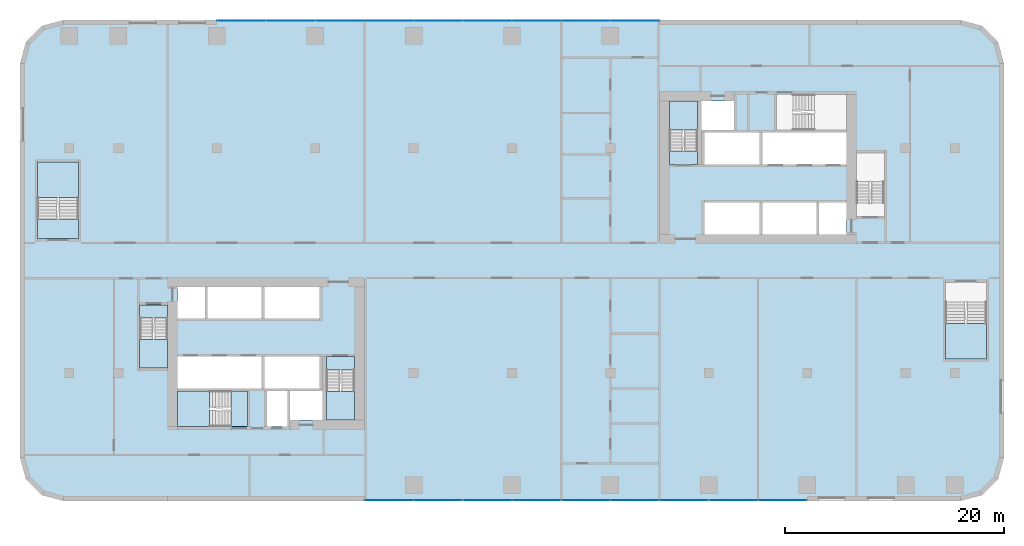
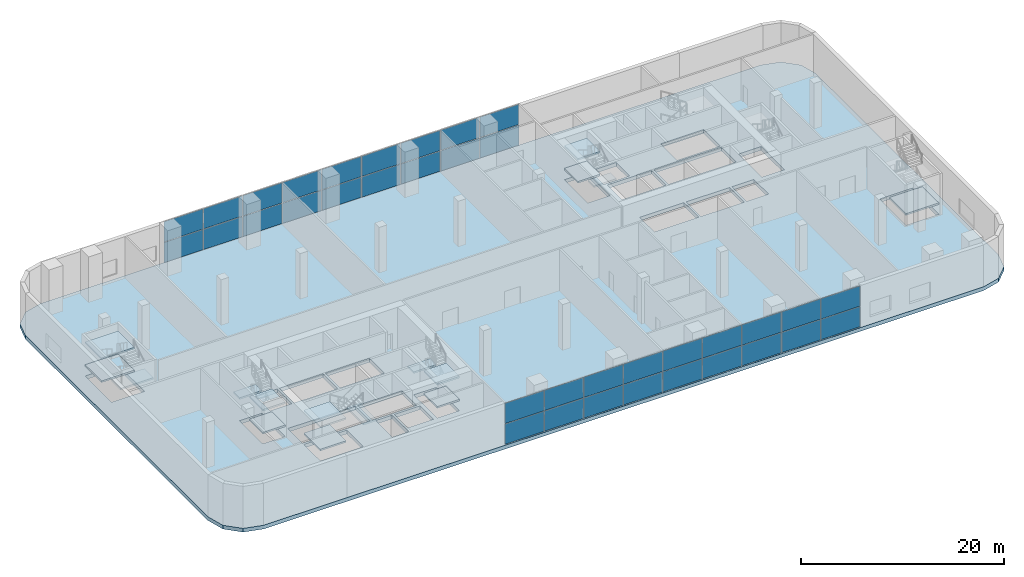
# One storey, part 7 of 21: 36 plates, 17 slabs, 14 elements without a shape of their own.
"""IFC4 building model written with IfcOpenShell, lengths in metres."""

from ifc_helpers import new_model, si_unit, direction, frame, origin, origin_2d, place, context, subcontext, project, spatial, polyline, rectangle, outline, extrude, material, layer, layer_set, type_object, element, aggregate, save


model = new_model("IFC4")

# Units and contexts
model_context = context("Model", 3, precision=1e-05, world=origin(), true_north=direction((0.0, 1.0)))
body_context = subcontext(model_context, "Body", "Model", "MODEL_VIEW")
ifc_project = project(units=[si_unit("LENGTHUNIT", "METRE"), si_unit("AREAUNIT", "SQUARE_METRE"), si_unit("VOLUMEUNIT", "CUBIC_METRE"), si_unit("PLANEANGLEUNIT", "RADIAN"), si_unit("MASSUNIT", "GRAM", prefix="KILO")], contexts=[model_context])

# Site, building, storey
site_placement = place(None, origin())
site = spatial("IfcSite", under=ifc_project, at=site_placement, CompositionType="ELEMENT")
building_placement = place(site_placement, origin())
building = spatial("IfcBuilding", under=site, at=building_placement, Name="Kajstack Hotel Tower", CompositionType="ELEMENT")
storey_placement = place(building_placement, frame((0.0, 0.0, 23.5)))
storey = spatial("IfcBuildingStorey", under=building, at=storey_placement, Name="L03", CompositionType="ELEMENT", Elevation=23.5)

# Curtain wall, plates
ifc_material_1 = material(Name="Aluminium-framed curtain wall, fritted glass", Category="aluminium")
curtain_wall_type = type_object("IfcCurtainWallType", Name="CW-MEET", PredefinedType="NOTDEFINED", material=ifc_material_1)
curtain_wall_1_placement = place(storey_placement, origin())
curtain_wall_1 = element("IfcCurtainWall", 1, at=curtain_wall_1_placement, inside=storey, type_object=curtain_wall_type, Name="Curtain wall CU3 L03-03-02-0", PredefinedType="NOTDEFINED")
ifc_material_2 = material(Name="Fritted glass", Category="glass")
ifc_layer_1 = layer(ifc_material_2, 0.028076171875)
ifc_layer_set_1 = layer_set([ifc_layer_1], Name="CW-P-MEET")
plate_type = type_object("IfcPlateType", Name="CW-P-MEET", PredefinedType="CURTAIN_PANEL", material=ifc_layer_set_1)
plate_1_placement = place(storey_placement, frame((-11.237548828125, -21.925048828125, 0.06005859375), z_axis=(0.0, 0.0, 1.0), x_axis=(1.0, 0.0, 0.0)))
plate_1 = element("IfcPlate", 2, at=plate_1_placement, type_object=plate_type, Name="CU3 panel 1.1", PredefinedType="CURTAIN_PANEL", context=body_context, shape_type="SweptSolid", body=[
    extrude(rectangle(XDim=4.425048828125, YDim=0.028076171875, at=origin_2d()), origin(), (0.0, 0.0, 1.0), 2.43505859375),
])
plate_2_placement = place(storey_placement, frame((-11.237548828125, -21.925048828125, 2.554931640625), z_axis=(0.0, 0.0, 1.0), x_axis=(1.0, 0.0, 0.0)))
plate_2 = element("IfcPlate", 3, at=plate_2_placement, type_object=plate_type, Name="CU3 panel 1.2", PredefinedType="CURTAIN_PANEL", context=body_context, shape_type="SweptSolid", body=[
    extrude(rectangle(XDim=4.425048828125, YDim=0.028076171875, at=origin_2d()), origin(), (0.0, 0.0, 1.0), 2.43505859375),
])
plate_3_placement = place(storey_placement, frame((-6.762451171875, -21.925048828125, 0.06005859375), z_axis=(0.0, 0.0, 1.0), x_axis=(1.0, 0.0, 0.0)))
plate_3 = element("IfcPlate", 4, at=plate_3_placement, type_object=plate_type, Name="CU3 panel 2.1", PredefinedType="CURTAIN_PANEL", context=body_context, shape_type="SweptSolid", body=[
    extrude(rectangle(XDim=4.425048828125, YDim=0.028076171875, at=origin_2d()), origin(), (0.0, 0.0, 1.0), 2.43505859375),
])
plate_4_placement = place(storey_placement, frame((-6.762451171875, -21.925048828125, 2.554931640625), z_axis=(0.0, 0.0, 1.0), x_axis=(1.0, 0.0, 0.0)))
plate_4 = element("IfcPlate", 5, at=plate_4_placement, type_object=plate_type, Name="CU3 panel 2.2", PredefinedType="CURTAIN_PANEL", context=body_context, shape_type="SweptSolid", body=[
    extrude(rectangle(XDim=4.425048828125, YDim=0.028076171875, at=origin_2d()), origin(), (0.0, 0.0, 1.0), 2.43505859375),
])
aggregate(curtain_wall_1, [plate_1, plate_2, plate_3, plate_4])

curtain_wall_2_placement = place(storey_placement, origin())
curtain_wall_2 = element("IfcCurtainWall", 6, at=curtain_wall_2_placement, inside=storey, type_object=curtain_wall_type, Name="Curtain wall CU3 L03-03-02-1", PredefinedType="NOTDEFINED")
plate_5_placement = place(storey_placement, frame((-2.237548828125, -21.925048828125, 0.06005859375), z_axis=(0.0, 0.0, 1.0), x_axis=(1.0, 0.0, 0.0)))
plate_5 = element("IfcPlate", 7, at=plate_5_placement, type_object=plate_type, Name="CU3 panel 1.1", PredefinedType="CURTAIN_PANEL", context=body_context, shape_type="SweptSolid", body=[
    extrude(rectangle(XDim=4.425048828125, YDim=0.028076171875, at=origin_2d()), origin(), (0.0, 0.0, 1.0), 2.43505859375),
])
plate_6_placement = place(storey_placement, frame((-2.237548828125, -21.925048828125, 2.554931640625), z_axis=(0.0, 0.0, 1.0), x_axis=(1.0, 0.0, 0.0)))
plate_6 = element("IfcPlate", 8, at=plate_6_placement, type_object=plate_type, Name="CU3 panel 1.2", PredefinedType="CURTAIN_PANEL", context=body_context, shape_type="SweptSolid", body=[
    extrude(rectangle(XDim=4.425048828125, YDim=0.028076171875, at=origin_2d()), origin(), (0.0, 0.0, 1.0), 2.43505859375),
])
plate_7_placement = place(storey_placement, frame((2.237548828125, -21.925048828125, 0.06005859375), z_axis=(0.0, 0.0, 1.0), x_axis=(1.0, 0.0, 0.0)))
plate_7 = element("IfcPlate", 9, at=plate_7_placement, type_object=plate_type, Name="CU3 panel 2.1", PredefinedType="CURTAIN_PANEL", context=body_context, shape_type="SweptSolid", body=[
    extrude(rectangle(XDim=4.425048828125, YDim=0.028076171875, at=origin_2d()), origin(), (0.0, 0.0, 1.0), 2.43505859375),
])
plate_8_placement = place(storey_placement, frame((2.237548828125, -21.925048828125, 2.554931640625), z_axis=(0.0, 0.0, 1.0), x_axis=(1.0, 0.0, 0.0)))
plate_8 = element("IfcPlate", 10, at=plate_8_placement, type_object=plate_type, Name="CU3 panel 2.2", PredefinedType="CURTAIN_PANEL", context=body_context, shape_type="SweptSolid", body=[
    extrude(rectangle(XDim=4.425048828125, YDim=0.028076171875, at=origin_2d()), origin(), (0.0, 0.0, 1.0), 2.43505859375),
])
aggregate(curtain_wall_2, [plate_5, plate_6, plate_7, plate_8])

curtain_wall_3_placement = place(storey_placement, origin())
curtain_wall_3 = element("IfcCurtainWall", 11, at=curtain_wall_3_placement, inside=storey, type_object=curtain_wall_type, Name="Curtain wall CU3 L03-03-02-2", PredefinedType="NOTDEFINED")
plate_9_placement = place(storey_placement, frame((6.762451171875, -21.925048828125, 0.06005859375), z_axis=(0.0, 0.0, 1.0), x_axis=(1.0, 0.0, 0.0)))
plate_9 = element("IfcPlate", 12, at=plate_9_placement, type_object=plate_type, Name="CU3 panel 1.1", PredefinedType="CURTAIN_PANEL", context=body_context, shape_type="SweptSolid", body=[
    extrude(rectangle(XDim=4.425048828125, YDim=0.028076171875, at=origin_2d()), origin(), (0.0, 0.0, 1.0), 2.43505859375),
])
plate_10_placement = place(storey_placement, frame((6.762451171875, -21.925048828125, 2.554931640625), z_axis=(0.0, 0.0, 1.0), x_axis=(1.0, 0.0, 0.0)))
plate_10 = element("IfcPlate", 13, at=plate_10_placement, type_object=plate_type, Name="CU3 panel 1.2", PredefinedType="CURTAIN_PANEL", context=body_context, shape_type="SweptSolid", body=[
    extrude(rectangle(XDim=4.425048828125, YDim=0.028076171875, at=origin_2d()), origin(), (0.0, 0.0, 1.0), 2.43505859375),
])
plate_11_placement = place(storey_placement, frame((11.25, -21.925048828125, 0.06005859375), z_axis=(0.0, 0.0, 1.0), x_axis=(1.0, 0.0, 0.0)))
plate_11 = element("IfcPlate", 14, at=plate_11_placement, type_object=plate_type, Name="CU3 panel 2.1", PredefinedType="CURTAIN_PANEL", context=body_context, shape_type="SweptSolid", body=[
    extrude(rectangle(XDim=4.449951171875, YDim=0.028076171875, at=origin_2d()), origin(), (0.0, 0.0, 1.0), 2.43505859375),
])
plate_12_placement = place(storey_placement, frame((11.25, -21.925048828125, 2.554931640625), z_axis=(0.0, 0.0, 1.0), x_axis=(1.0, 0.0, 0.0)))
plate_12 = element("IfcPlate", 15, at=plate_12_placement, type_object=plate_type, Name="CU3 panel 2.2", PredefinedType="CURTAIN_PANEL", context=body_context, shape_type="SweptSolid", body=[
    extrude(rectangle(XDim=4.449951171875, YDim=0.028076171875, at=origin_2d()), origin(), (0.0, 0.0, 1.0), 2.43505859375),
])
plate_13_placement = place(storey_placement, frame((15.737548828125, -21.925048828125, 0.06005859375), z_axis=(0.0, 0.0, 1.0), x_axis=(1.0, 0.0, 0.0)))
plate_13 = element("IfcPlate", 16, at=plate_13_placement, type_object=plate_type, Name="CU3 panel 3.1", PredefinedType="CURTAIN_PANEL", context=body_context, shape_type="SweptSolid", body=[
    extrude(rectangle(XDim=4.425048828125, YDim=0.028076171875, at=origin_2d()), origin(), (0.0, 0.0, 1.0), 2.43505859375),
])
plate_14_placement = place(storey_placement, frame((15.737548828125, -21.925048828125, 2.554931640625), z_axis=(0.0, 0.0, 1.0), x_axis=(1.0, 0.0, 0.0)))
plate_14 = element("IfcPlate", 17, at=plate_14_placement, type_object=plate_type, Name="CU3 panel 3.2", PredefinedType="CURTAIN_PANEL", context=body_context, shape_type="SweptSolid", body=[
    extrude(rectangle(XDim=4.425048828125, YDim=0.028076171875, at=origin_2d()), origin(), (0.0, 0.0, 1.0), 2.43505859375),
])
aggregate(curtain_wall_3, [plate_9, plate_10, plate_11, plate_12, plate_13, plate_14])

curtain_wall_4_placement = place(storey_placement, origin())
curtain_wall_4 = element("IfcCurtainWall", 18, at=curtain_wall_4_placement, inside=storey, type_object=curtain_wall_type, Name="Curtain wall CU3 L03-03-02-3", PredefinedType="NOTDEFINED")
plate_15_placement = place(storey_placement, frame((20.262451171875, -21.925048828125, 0.06005859375), z_axis=(0.0, 0.0, 1.0), x_axis=(1.0, 0.0, 0.0)))
plate_15 = element("IfcPlate", 19, at=plate_15_placement, type_object=plate_type, Name="CU3 panel 1.1", PredefinedType="CURTAIN_PANEL", context=body_context, shape_type="SweptSolid", body=[
    extrude(rectangle(XDim=4.425048828125, YDim=0.028076171875, at=origin_2d()), origin(), (0.0, 0.0, 1.0), 2.43505859375),
])
plate_16_placement = place(storey_placement, frame((20.262451171875, -21.925048828125, 2.554931640625), z_axis=(0.0, 0.0, 1.0), x_axis=(1.0, 0.0, 0.0)))
plate_16 = element("IfcPlate", 20, at=plate_16_placement, type_object=plate_type, Name="CU3 panel 1.2", PredefinedType="CURTAIN_PANEL", context=body_context, shape_type="SweptSolid", body=[
    extrude(rectangle(XDim=4.425048828125, YDim=0.028076171875, at=origin_2d()), origin(), (0.0, 0.0, 1.0), 2.43505859375),
])
plate_17_placement = place(storey_placement, frame((24.737548828125, -21.925048828125, 0.06005859375), z_axis=(0.0, 0.0, 1.0), x_axis=(1.0, 0.0, 0.0)))
plate_17 = element("IfcPlate", 21, at=plate_17_placement, type_object=plate_type, Name="CU3 panel 2.1", PredefinedType="CURTAIN_PANEL", context=body_context, shape_type="SweptSolid", body=[
    extrude(rectangle(XDim=4.425048828125, YDim=0.028076171875, at=origin_2d()), origin(), (0.0, 0.0, 1.0), 2.43505859375),
])
plate_18_placement = place(storey_placement, frame((24.737548828125, -21.925048828125, 2.554931640625), z_axis=(0.0, 0.0, 1.0), x_axis=(1.0, 0.0, 0.0)))
plate_18 = element("IfcPlate", 22, at=plate_18_placement, type_object=plate_type, Name="CU3 panel 2.2", PredefinedType="CURTAIN_PANEL", context=body_context, shape_type="SweptSolid", body=[
    extrude(rectangle(XDim=4.425048828125, YDim=0.028076171875, at=origin_2d()), origin(), (0.0, 0.0, 1.0), 2.43505859375),
])
aggregate(curtain_wall_4, [plate_15, plate_16, plate_17, plate_18])

curtain_wall_5_placement = place(storey_placement, origin())
curtain_wall_5 = element("IfcCurtainWall", 23, at=curtain_wall_5_placement, inside=storey, type_object=curtain_wall_type, Name="Curtain wall CU3 L03-11-02-0", PredefinedType="NOTDEFINED")
plate_19_placement = place(storey_placement, frame((11.237548828125, 21.925048828125, 0.06005859375), z_axis=(0.0, 0.0, 1.0), x_axis=(-1.0, 0.0, 0.0)))
plate_19 = element("IfcPlate", 24, at=plate_19_placement, type_object=plate_type, Name="CU3 panel 1.1", PredefinedType="CURTAIN_PANEL", context=body_context, shape_type="SweptSolid", body=[
    extrude(rectangle(XDim=4.425048828125, YDim=0.028076171875, at=origin_2d()), origin(), (0.0, 0.0, 1.0), 2.43505859375),
])
plate_20_placement = place(storey_placement, frame((11.237548828125, 21.925048828125, 2.554931640625), z_axis=(0.0, 0.0, 1.0), x_axis=(-1.0, 0.0, 0.0)))
plate_20 = element("IfcPlate", 25, at=plate_20_placement, type_object=plate_type, Name="CU3 panel 1.2", PredefinedType="CURTAIN_PANEL", context=body_context, shape_type="SweptSolid", body=[
    extrude(rectangle(XDim=4.425048828125, YDim=0.028076171875, at=origin_2d()), origin(), (0.0, 0.0, 1.0), 2.43505859375),
])
plate_21_placement = place(storey_placement, frame((6.762451171875, 21.925048828125, 0.06005859375), z_axis=(0.0, 0.0, 1.0), x_axis=(-1.0, 0.0, 0.0)))
plate_21 = element("IfcPlate", 26, at=plate_21_placement, type_object=plate_type, Name="CU3 panel 2.1", PredefinedType="CURTAIN_PANEL", context=body_context, shape_type="SweptSolid", body=[
    extrude(rectangle(XDim=4.425048828125, YDim=0.028076171875, at=origin_2d()), origin(), (0.0, 0.0, 1.0), 2.43505859375),
])
plate_22_placement = place(storey_placement, frame((6.762451171875, 21.925048828125, 2.554931640625), z_axis=(0.0, 0.0, 1.0), x_axis=(-1.0, 0.0, 0.0)))
plate_22 = element("IfcPlate", 27, at=plate_22_placement, type_object=plate_type, Name="CU3 panel 2.2", PredefinedType="CURTAIN_PANEL", context=body_context, shape_type="SweptSolid", body=[
    extrude(rectangle(XDim=4.425048828125, YDim=0.028076171875, at=origin_2d()), origin(), (0.0, 0.0, 1.0), 2.43505859375),
])
aggregate(curtain_wall_5, [plate_19, plate_20, plate_21, plate_22])

curtain_wall_6_placement = place(storey_placement, origin())
curtain_wall_6 = element("IfcCurtainWall", 28, at=curtain_wall_6_placement, inside=storey, type_object=curtain_wall_type, Name="Curtain wall CU3 L03-11-02-1", PredefinedType="NOTDEFINED")
plate_23_placement = place(storey_placement, frame((2.237548828125, 21.925048828125, 0.06005859375), z_axis=(0.0, 0.0, 1.0), x_axis=(-1.0, 0.0, 0.0)))
plate_23 = element("IfcPlate", 29, at=plate_23_placement, type_object=plate_type, Name="CU3 panel 1.1", PredefinedType="CURTAIN_PANEL", context=body_context, shape_type="SweptSolid", body=[
    extrude(rectangle(XDim=4.425048828125, YDim=0.028076171875, at=origin_2d()), origin(), (0.0, 0.0, 1.0), 2.43505859375),
])
plate_24_placement = place(storey_placement, frame((2.237548828125, 21.925048828125, 2.554931640625), z_axis=(0.0, 0.0, 1.0), x_axis=(-1.0, 0.0, 0.0)))
plate_24 = element("IfcPlate", 30, at=plate_24_placement, type_object=plate_type, Name="CU3 panel 1.2", PredefinedType="CURTAIN_PANEL", context=body_context, shape_type="SweptSolid", body=[
    extrude(rectangle(XDim=4.425048828125, YDim=0.028076171875, at=origin_2d()), origin(), (0.0, 0.0, 1.0), 2.43505859375),
])
plate_25_placement = place(storey_placement, frame((-2.237548828125, 21.925048828125, 0.06005859375), z_axis=(0.0, 0.0, 1.0), x_axis=(-1.0, 0.0, 0.0)))
plate_25 = element("IfcPlate", 31, at=plate_25_placement, type_object=plate_type, Name="CU3 panel 2.1", PredefinedType="CURTAIN_PANEL", context=body_context, shape_type="SweptSolid", body=[
    extrude(rectangle(XDim=4.425048828125, YDim=0.028076171875, at=origin_2d()), origin(), (0.0, 0.0, 1.0), 2.43505859375),
])
plate_26_placement = place(storey_placement, frame((-2.237548828125, 21.925048828125, 2.554931640625), z_axis=(0.0, 0.0, 1.0), x_axis=(-1.0, 0.0, 0.0)))
plate_26 = element("IfcPlate", 32, at=plate_26_placement, type_object=plate_type, Name="CU3 panel 2.2", PredefinedType="CURTAIN_PANEL", context=body_context, shape_type="SweptSolid", body=[
    extrude(rectangle(XDim=4.425048828125, YDim=0.028076171875, at=origin_2d()), origin(), (0.0, 0.0, 1.0), 2.43505859375),
])
aggregate(curtain_wall_6, [plate_23, plate_24, plate_25, plate_26])

curtain_wall_7_placement = place(storey_placement, origin())
curtain_wall_7 = element("IfcCurtainWall", 33, at=curtain_wall_7_placement, inside=storey, type_object=curtain_wall_type, Name="Curtain wall CU3 L03-11-02-2", PredefinedType="NOTDEFINED")
plate_27_placement = place(storey_placement, frame((-6.762451171875, 21.925048828125, 0.06005859375), z_axis=(0.0, 0.0, 1.0), x_axis=(-1.0, 0.0, 0.0)))
plate_27 = element("IfcPlate", 34, at=plate_27_placement, type_object=plate_type, Name="CU3 panel 1.1", PredefinedType="CURTAIN_PANEL", context=body_context, shape_type="SweptSolid", body=[
    extrude(rectangle(XDim=4.425048828125, YDim=0.028076171875, at=origin_2d()), origin(), (0.0, 0.0, 1.0), 2.43505859375),
])
plate_28_placement = place(storey_placement, frame((-6.762451171875, 21.925048828125, 2.554931640625), z_axis=(0.0, 0.0, 1.0), x_axis=(-1.0, 0.0, 0.0)))
plate_28 = element("IfcPlate", 35, at=plate_28_placement, type_object=plate_type, Name="CU3 panel 1.2", PredefinedType="CURTAIN_PANEL", context=body_context, shape_type="SweptSolid", body=[
    extrude(rectangle(XDim=4.425048828125, YDim=0.028076171875, at=origin_2d()), origin(), (0.0, 0.0, 1.0), 2.43505859375),
])
plate_29_placement = place(storey_placement, frame((-11.25, 21.925048828125, 0.06005859375), z_axis=(0.0, 0.0, 1.0), x_axis=(-1.0, 0.0, 0.0)))
plate_29 = element("IfcPlate", 36, at=plate_29_placement, type_object=plate_type, Name="CU3 panel 2.1", PredefinedType="CURTAIN_PANEL", context=body_context, shape_type="SweptSolid", body=[
    extrude(rectangle(XDim=4.449951171875, YDim=0.028076171875, at=origin_2d()), origin(), (0.0, 0.0, 1.0), 2.43505859375),
])
plate_30_placement = place(storey_placement, frame((-11.25, 21.925048828125, 2.554931640625), z_axis=(0.0, 0.0, 1.0), x_axis=(-1.0, 0.0, 0.0)))
plate_30 = element("IfcPlate", 37, at=plate_30_placement, type_object=plate_type, Name="CU3 panel 2.2", PredefinedType="CURTAIN_PANEL", context=body_context, shape_type="SweptSolid", body=[
    extrude(rectangle(XDim=4.449951171875, YDim=0.028076171875, at=origin_2d()), origin(), (0.0, 0.0, 1.0), 2.43505859375),
])
plate_31_placement = place(storey_placement, frame((-15.737548828125, 21.925048828125, 0.06005859375), z_axis=(0.0, 0.0, 1.0), x_axis=(-1.0, 0.0, 0.0)))
plate_31 = element("IfcPlate", 38, at=plate_31_placement, type_object=plate_type, Name="CU3 panel 3.1", PredefinedType="CURTAIN_PANEL", context=body_context, shape_type="SweptSolid", body=[
    extrude(rectangle(XDim=4.425048828125, YDim=0.028076171875, at=origin_2d()), origin(), (0.0, 0.0, 1.0), 2.43505859375),
])
plate_32_placement = place(storey_placement, frame((-15.737548828125, 21.925048828125, 2.554931640625), z_axis=(0.0, 0.0, 1.0), x_axis=(-1.0, 0.0, 0.0)))
plate_32 = element("IfcPlate", 39, at=plate_32_placement, type_object=plate_type, Name="CU3 panel 3.2", PredefinedType="CURTAIN_PANEL", context=body_context, shape_type="SweptSolid", body=[
    extrude(rectangle(XDim=4.425048828125, YDim=0.028076171875, at=origin_2d()), origin(), (0.0, 0.0, 1.0), 2.43505859375),
])
aggregate(curtain_wall_7, [plate_27, plate_28, plate_29, plate_30, plate_31, plate_32])

curtain_wall_8_placement = place(storey_placement, origin())
curtain_wall_8 = element("IfcCurtainWall", 40, at=curtain_wall_8_placement, inside=storey, type_object=curtain_wall_type, Name="Curtain wall CU3 L03-11-02-3", PredefinedType="NOTDEFINED")
plate_33_placement = place(storey_placement, frame((-20.262451171875, 21.925048828125, 0.06005859375), z_axis=(0.0, 0.0, 1.0), x_axis=(-1.0, 0.0, 0.0)))
plate_33 = element("IfcPlate", 41, at=plate_33_placement, type_object=plate_type, Name="CU3 panel 1.1", PredefinedType="CURTAIN_PANEL", context=body_context, shape_type="SweptSolid", body=[
    extrude(rectangle(XDim=4.425048828125, YDim=0.028076171875, at=origin_2d()), origin(), (0.0, 0.0, 1.0), 2.43505859375),
])
plate_34_placement = place(storey_placement, frame((-20.262451171875, 21.925048828125, 2.554931640625), z_axis=(0.0, 0.0, 1.0), x_axis=(-1.0, 0.0, 0.0)))
plate_34 = element("IfcPlate", 42, at=plate_34_placement, type_object=plate_type, Name="CU3 panel 1.2", PredefinedType="CURTAIN_PANEL", context=body_context, shape_type="SweptSolid", body=[
    extrude(rectangle(XDim=4.425048828125, YDim=0.028076171875, at=origin_2d()), origin(), (0.0, 0.0, 1.0), 2.43505859375),
])
plate_35_placement = place(storey_placement, frame((-24.737548828125, 21.925048828125, 0.06005859375), z_axis=(0.0, 0.0, 1.0), x_axis=(-1.0, 0.0, 0.0)))
plate_35 = element("IfcPlate", 43, at=plate_35_placement, type_object=plate_type, Name="CU3 panel 2.1", PredefinedType="CURTAIN_PANEL", context=body_context, shape_type="SweptSolid", body=[
    extrude(rectangle(XDim=4.425048828125, YDim=0.028076171875, at=origin_2d()), origin(), (0.0, 0.0, 1.0), 2.43505859375),
])
plate_36_placement = place(storey_placement, frame((-24.737548828125, 21.925048828125, 2.554931640625), z_axis=(0.0, 0.0, 1.0), x_axis=(-1.0, 0.0, 0.0)))
plate_36 = element("IfcPlate", 44, at=plate_36_placement, type_object=plate_type, Name="CU3 panel 2.2", PredefinedType="CURTAIN_PANEL", context=body_context, shape_type="SweptSolid", body=[
    extrude(rectangle(XDim=4.425048828125, YDim=0.028076171875, at=origin_2d()), origin(), (0.0, 0.0, 1.0), 2.43505859375),
])
aggregate(curtain_wall_8, [plate_33, plate_34, plate_35, plate_36])

# Slab
ifc_material_3 = material(Name="Concrete C45/55", Category="concrete")
ifc_layer_2 = layer(ifc_material_3, 0.449951171875)
ifc_layer_set_2 = layer_set([ifc_layer_2], Name="RC slab 450 C45/55 podium")
slab_type_1 = type_object("IfcSlabType", Name="RC slab 450 C45/55 podium", PredefinedType="FLOOR", material=ifc_layer_set_2)
slab_1_placement = place(storey_placement, frame((0.0, 0.0, -0.449951171875)))
element("IfcSlab", 45, at=slab_1_placement, inside=storey, type_object=slab_type_1, Name="S-slab-L03", PredefinedType="FLOOR", context=body_context, shape_type="SweptSolid", body=[
    extrude(outline(polyline([(-45.0, -18.0), (-44.464111328125, -20.0), (-43.0, -21.464111328125), (-41.0, -22.0), (41.0, -22.0), (43.0, -21.464111328125), (44.464111328125, -20.0), (45.0, -18.0), (45.0, 18.0), (44.464111328125, 20.0), (43.0, 21.464111328125), (41.0, 22.0), (-41.0, 22.0), (-43.0, 21.464111328125), (-44.464111328125, 20.0), (-45.0, 18.0), (-45.0, -18.0)]), holes=[polyline([(-30.60009765625, -11.699951171875), (-30.60009765625, -8.800048828125), (-22.89990234375, -8.800048828125), (-22.89990234375, -11.699951171875), (-30.60009765625, -11.699951171875)]), polyline([(-22.64990234375, -11.699951171875), (-22.64990234375, -8.800048828125), (-17.60009765625, -8.800048828125), (-17.60009765625, -11.699951171875), (-22.64990234375, -11.699951171875)]), polyline([(-27.85009765625, -5.300048828125), (-27.85009765625, -2.39990234375), (-22.89990234375, -2.39990234375), (-22.89990234375, -5.300048828125), (-27.85009765625, -5.300048828125)]), polyline([(-22.64990234375, -5.300048828125), (-22.64990234375, -2.39990234375), (-17.60009765625, -2.39990234375), (-17.60009765625, -5.300048828125), (-22.64990234375, -5.300048828125)]), polyline([(-20.300048828125, -14.60009765625), (-17.35009765625, -14.60009765625), (-17.35009765625, -11.949951171875), (-20.300048828125, -11.949951171875), (-20.300048828125, -14.60009765625)]), polyline([(-30.60009765625, -5.300048828125), (-28.10009765625, -5.300048828125), (-28.10009765625, -2.39990234375), (-30.60009765625, -2.39990234375), (-30.60009765625, -5.300048828125)]), polyline([(22.89990234375, 8.800048828125), (22.89990234375, 11.699951171875), (30.60009765625, 11.699951171875), (30.60009765625, 8.800048828125), (22.89990234375, 8.800048828125)]), polyline([(17.60009765625, 8.800048828125), (17.60009765625, 11.699951171875), (22.64990234375, 11.699951171875), (22.64990234375, 8.800048828125), (17.60009765625, 8.800048828125)]), polyline([(22.89990234375, 2.39990234375), (22.89990234375, 5.300048828125), (27.85009765625, 5.300048828125), (27.85009765625, 2.39990234375), (22.89990234375, 2.39990234375)]), polyline([(17.60009765625, 2.39990234375), (17.60009765625, 5.300048828125), (22.64990234375, 5.300048828125), (22.64990234375, 2.39990234375), (17.60009765625, 2.39990234375)]), polyline([(20.300048828125, 14.60009765625), (17.35009765625, 14.60009765625), (17.35009765625, 11.949951171875), (20.300048828125, 11.949951171875), (20.300048828125, 14.60009765625)]), polyline([(30.60009765625, 5.300048828125), (28.10009765625, 5.300048828125), (28.10009765625, 2.39990234375), (30.60009765625, 2.39990234375), (30.60009765625, 5.300048828125)]), polyline([(-34.050048828125, -9.85009765625), (-31.5, -9.85009765625), (-31.5, -5.25), (-34.050048828125, -5.25), (-34.050048828125, -9.85009765625)]), polyline([(-16.949951171875, -14.60009765625), (-14.39990234375, -14.60009765625), (-14.39990234375, -10.0), (-16.949951171875, -10.0), (-16.949951171875, -14.60009765625)]), polyline([(-30.60009765625, -15.199951171875), (-25.699951171875, -15.199951171875), (-25.699951171875, -11.949951171875), (-30.60009765625, -11.949951171875), (-30.60009765625, -15.199951171875)]), polyline([(34.050048828125, 9.85009765625), (31.5, 9.85009765625), (31.5, 5.25), (34.050048828125, 5.25), (34.050048828125, 9.85009765625)]), polyline([(16.949951171875, 14.60009765625), (14.39990234375, 14.60009765625), (14.39990234375, 10.0), (16.949951171875, 10.0), (16.949951171875, 14.60009765625)]), polyline([(30.60009765625, 15.199951171875), (25.699951171875, 15.199951171875), (25.699951171875, 11.949951171875), (30.60009765625, 11.949951171875), (30.60009765625, 15.199951171875)]), polyline([(-43.39990234375, 3.800048828125), (-39.64990234375, 3.800048828125), (-39.64990234375, 9.0), (-43.39990234375, 9.0), (-43.39990234375, 3.800048828125)]), polyline([(39.64990234375, -9.0), (43.39990234375, -9.0), (43.39990234375, -3.800048828125), (39.64990234375, -3.800048828125), (39.64990234375, -9.0)]), polyline([(-22.425048828125, -15.199951171875), (-22.425048828125, -11.949951171875), (-20.550048828125, -11.949951171875), (-20.550048828125, -15.199951171875), (-22.425048828125, -15.199951171875)])]), origin(), (0.0, 0.0, 1.0), 0.449951171875),
])

# Stair, slabs
ifc_material_4 = material(Name="Concrete C40/50", Category="concrete")
stair_type_1 = type_object("IfcStairType", Name="Exit stair 1200", PredefinedType="HALF_TURN_STAIR", material=ifc_material_4)
stair_1_placement = place(storey_placement, origin())
stair_1 = element("IfcStair", 46, at=stair_1_placement, inside=storey, type_object=stair_type_1, Name="L03 stair W1", PredefinedType="HALF_TURN_STAIR")
ifc_layer_3 = layer(ifc_material_4, 0.199951171875)
ifc_layer_set_3 = layer_set([ifc_layer_3], Name="Stair landing 200")
slab_type_2 = type_object("IfcSlabType", Name="Stair landing 200", PredefinedType="LANDING", material=ifc_layer_set_3)
slab_2_placement = place(storey_placement, frame((0.0, 0.0, 1.175048828125)))
slab_2 = element("IfcSlab", 47, at=slab_2_placement, type_object=slab_type_2, Name="W1 landing 1", PredefinedType="LANDING", context=body_context, shape_type="SweptSolid", body=[
    extrude(outline(polyline([(-34.050048828125, -7.2099609375), (-34.050048828125, -9.85009765625), (-31.5, -9.85009765625), (-31.5, -7.2099609375), (-34.050048828125, -7.2099609375)])), origin(), (0.0, 0.0, 1.0), 0.199951171875),
])
slab_3_placement = place(storey_placement, frame((0.0, 0.0, 2.550048828125)))
slab_3 = element("IfcSlab", 48, at=slab_3_placement, type_object=slab_type_2, Name="W1 landing 2", PredefinedType="LANDING", context=body_context, shape_type="SweptSolid", body=[
    extrude(outline(polyline([(-34.050048828125, -4.050048828125), (-34.050048828125, -5.25), (-31.5, -5.25), (-31.5, -4.050048828125), (-34.050048828125, -4.050048828125)])), origin(), (0.0, 0.0, 1.0), 0.199951171875),
])
slab_4_placement = place(storey_placement, frame((0.0, 0.0, 3.925048828125)))
slab_4 = element("IfcSlab", 49, at=slab_4_placement, type_object=slab_type_2, Name="W1 landing 3", PredefinedType="LANDING", context=body_context, shape_type="SweptSolid", body=[
    extrude(outline(polyline([(-34.050048828125, -7.2099609375), (-34.050048828125, -9.85009765625), (-31.5, -9.85009765625), (-31.5, -7.2099609375), (-34.050048828125, -7.2099609375)])), origin(), (0.0, 0.0, 1.0), 0.199951171875),
])
aggregate(stair_1, [slab_2, slab_3, slab_4])

stair_2_placement = place(storey_placement, origin())
stair_2 = element("IfcStair", 50, at=stair_2_placement, inside=storey, type_object=stair_type_1, Name="L03 stair W2", PredefinedType="HALF_TURN_STAIR")
slab_5_placement = place(storey_placement, frame((0.0, 0.0, 1.175048828125)))
slab_5 = element("IfcSlab", 51, at=slab_5_placement, type_object=slab_type_2, Name="W2 landing 1", PredefinedType="LANDING", context=body_context, shape_type="SweptSolid", body=[
    extrude(outline(polyline([(-16.949951171875, -11.9599609375), (-16.949951171875, -14.60009765625), (-14.39990234375, -14.60009765625), (-14.39990234375, -11.9599609375), (-16.949951171875, -11.9599609375)])), origin(), (0.0, 0.0, 1.0), 0.199951171875),
])
slab_6_placement = place(storey_placement, frame((0.0, 0.0, 2.550048828125)))
slab_6 = element("IfcSlab", 52, at=slab_6_placement, type_object=slab_type_2, Name="W2 landing 2", PredefinedType="LANDING", context=body_context, shape_type="SweptSolid", body=[
    extrude(outline(polyline([(-16.949951171875, -8.800048828125), (-16.949951171875, -10.0), (-14.39990234375, -10.0), (-14.39990234375, -8.800048828125), (-16.949951171875, -8.800048828125)])), origin(), (0.0, 0.0, 1.0), 0.199951171875),
])
slab_7_placement = place(storey_placement, frame((0.0, 0.0, 3.925048828125)))
slab_7 = element("IfcSlab", 53, at=slab_7_placement, type_object=slab_type_2, Name="W2 landing 3", PredefinedType="LANDING", context=body_context, shape_type="SweptSolid", body=[
    extrude(outline(polyline([(-16.949951171875, -11.9599609375), (-16.949951171875, -14.60009765625), (-14.39990234375, -14.60009765625), (-14.39990234375, -11.9599609375), (-16.949951171875, -11.9599609375)])), origin(), (0.0, 0.0, 1.0), 0.199951171875),
])
aggregate(stair_2, [slab_5, slab_6, slab_7])

stair_type_2 = type_object("IfcStairType", Name="Exit stair 1500", PredefinedType="HALF_TURN_STAIR", material=ifc_material_4)
stair_3_placement = place(storey_placement, origin())
stair_3 = element("IfcStair", 54, at=stair_3_placement, inside=storey, type_object=stair_type_2, Name="L03 stair W3", PredefinedType="HALF_TURN_STAIR")
slab_8_placement = place(storey_placement, frame((0.0, 0.0, 1.175048828125)))
slab_8 = element("IfcSlab", 55, at=slab_8_placement, type_object=slab_type_2, Name="W3 landing 1", PredefinedType="LANDING", context=body_context, shape_type="SweptSolid", body=[
    extrude(outline(polyline([(-27.659912109375, -11.949951171875), (-30.60009765625, -11.949951171875), (-30.60009765625, -15.199951171875), (-27.659912109375, -15.199951171875), (-27.659912109375, -11.949951171875)])), origin(), (0.0, 0.0, 1.0), 0.199951171875),
])
slab_9_placement = place(storey_placement, frame((0.0, 0.0, 2.550048828125)))
slab_9 = element("IfcSlab", 56, at=slab_9_placement, type_object=slab_type_2, Name="W3 landing 2", PredefinedType="LANDING", context=body_context, shape_type="SweptSolid", body=[
    extrude(outline(polyline([(-24.199951171875, -11.949951171875), (-25.699951171875, -11.949951171875), (-25.699951171875, -15.199951171875), (-24.199951171875, -15.199951171875), (-24.199951171875, -11.949951171875)])), origin(), (0.0, 0.0, 1.0), 0.199951171875),
])
slab_10_placement = place(storey_placement, frame((0.0, 0.0, 3.925048828125)))
slab_10 = element("IfcSlab", 57, at=slab_10_placement, type_object=slab_type_2, Name="W3 landing 3", PredefinedType="LANDING", context=body_context, shape_type="SweptSolid", body=[
    extrude(outline(polyline([(-27.659912109375, -11.949951171875), (-30.60009765625, -11.949951171875), (-30.60009765625, -15.199951171875), (-27.659912109375, -15.199951171875), (-27.659912109375, -11.949951171875)])), origin(), (0.0, 0.0, 1.0), 0.199951171875),
])
aggregate(stair_3, [slab_8, slab_9, slab_10])

stair_4_placement = place(storey_placement, origin())
stair_4 = element("IfcStair", 58, at=stair_4_placement, inside=storey, type_object=stair_type_1, Name="L03 stair E2", PredefinedType="HALF_TURN_STAIR")
slab_11_placement = place(storey_placement, frame((0.0, 0.0, 1.175048828125)))
slab_11 = element("IfcSlab", 59, at=slab_11_placement, type_object=slab_type_2, Name="E2 landing 1", PredefinedType="LANDING", context=body_context, shape_type="SweptSolid", body=[
    extrude(outline(polyline([(16.949951171875, 11.9599609375), (16.949951171875, 14.60009765625), (14.39990234375, 14.60009765625), (14.39990234375, 11.9599609375), (16.949951171875, 11.9599609375)])), origin(), (0.0, 0.0, 1.0), 0.199951171875),
])
slab_12_placement = place(storey_placement, frame((0.0, 0.0, 2.550048828125)))
slab_12 = element("IfcSlab", 60, at=slab_12_placement, type_object=slab_type_2, Name="E2 landing 2", PredefinedType="LANDING", context=body_context, shape_type="SweptSolid", body=[
    extrude(outline(polyline([(16.949951171875, 8.800048828125), (16.949951171875, 10.0), (14.39990234375, 10.0), (14.39990234375, 8.800048828125), (16.949951171875, 8.800048828125)])), origin(), (0.0, 0.0, 1.0), 0.199951171875),
])
slab_13_placement = place(storey_placement, frame((0.0, 0.0, 3.925048828125)))
slab_13 = element("IfcSlab", 61, at=slab_13_placement, type_object=slab_type_2, Name="E2 landing 3", PredefinedType="LANDING", context=body_context, shape_type="SweptSolid", body=[
    extrude(outline(polyline([(16.949951171875, 11.9599609375), (16.949951171875, 14.60009765625), (14.39990234375, 14.60009765625), (14.39990234375, 11.9599609375), (16.949951171875, 11.9599609375)])), origin(), (0.0, 0.0, 1.0), 0.199951171875),
])
aggregate(stair_4, [slab_11, slab_12, slab_13])

stair_type_3 = type_object("IfcStairType", Name="Escape stair 1800", PredefinedType="HALF_TURN_STAIR", material=ifc_material_4)
stair_5_placement = place(storey_placement, origin())
stair_5 = element("IfcStair", 62, at=stair_5_placement, inside=storey, type_object=stair_type_3, Name="L03 stair P1", PredefinedType="HALF_TURN_STAIR")
slab_14_placement = place(storey_placement, frame((0.0, 0.0, 1.175048828125)))
slab_14 = element("IfcSlab", 63, at=slab_14_placement, type_object=slab_type_2, Name="P1 landing 1", PredefinedType="LANDING", context=body_context, shape_type="SweptSolid", body=[
    extrude(outline(polyline([(-39.64990234375, 5.760009765625), (-39.64990234375, 9.0), (-43.39990234375, 9.0), (-43.39990234375, 5.760009765625), (-39.64990234375, 5.760009765625)])), origin(), (0.0, 0.0, 1.0), 0.199951171875),
])
slab_15_placement = place(storey_placement, frame((0.0, 0.0, 2.550048828125)))
slab_15 = element("IfcSlab", 64, at=slab_15_placement, type_object=slab_type_2, Name="P1 landing 2", PredefinedType="LANDING", context=body_context, shape_type="SweptSolid", body=[
    extrude(outline(polyline([(-39.64990234375, 2.0), (-39.64990234375, 3.800048828125), (-43.39990234375, 3.800048828125), (-43.39990234375, 2.0), (-39.64990234375, 2.0)])), origin(), (0.0, 0.0, 1.0), 0.199951171875),
])
slab_16_placement = place(storey_placement, frame((0.0, 0.0, 3.925048828125)))
slab_16 = element("IfcSlab", 65, at=slab_16_placement, type_object=slab_type_2, Name="P1 landing 3", PredefinedType="LANDING", context=body_context, shape_type="SweptSolid", body=[
    extrude(outline(polyline([(-39.64990234375, 5.760009765625), (-39.64990234375, 9.0), (-43.39990234375, 9.0), (-43.39990234375, 5.760009765625), (-39.64990234375, 5.760009765625)])), origin(), (0.0, 0.0, 1.0), 0.199951171875),
])
aggregate(stair_5, [slab_14, slab_15, slab_16])

# Stair, slab
stair_6_placement = place(storey_placement, origin())
stair_6 = element("IfcStair", 66, at=stair_6_placement, inside=storey, type_object=stair_type_3, Name="L03 stair P2", PredefinedType="HALF_TURN_STAIR")
slab_17_placement = place(storey_placement, frame((0.0, 0.0, 1.175048828125)))
slab_17 = element("IfcSlab", 67, at=slab_17_placement, type_object=slab_type_2, Name="P2 landing 1", PredefinedType="LANDING", context=body_context, shape_type="SweptSolid", body=[
    extrude(outline(polyline([(39.64990234375, -5.760009765625), (39.64990234375, -9.0), (43.39990234375, -9.0), (43.39990234375, -5.760009765625), (39.64990234375, -5.760009765625)])), origin(), (0.0, 0.0, 1.0), 0.199951171875),
])
aggregate(stair_6, [slab_17])

save(model, "model.ifc")
